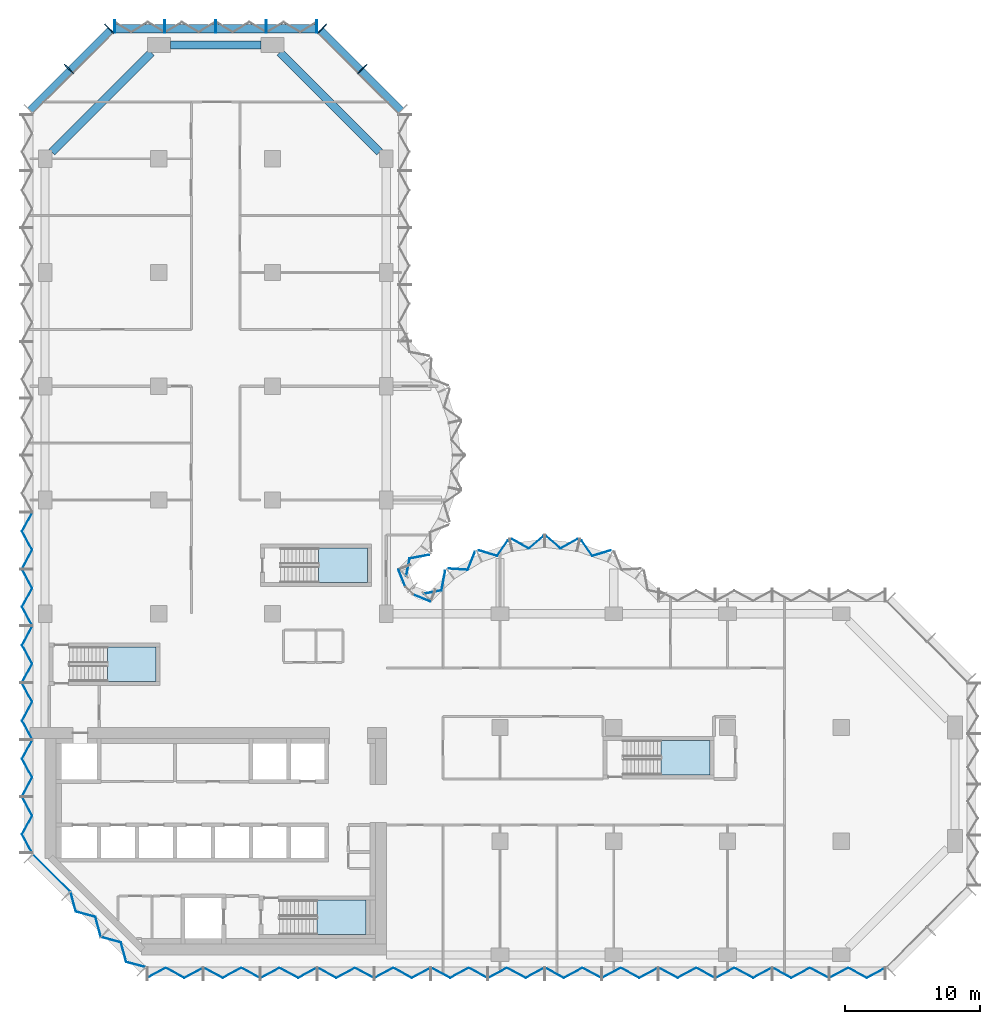
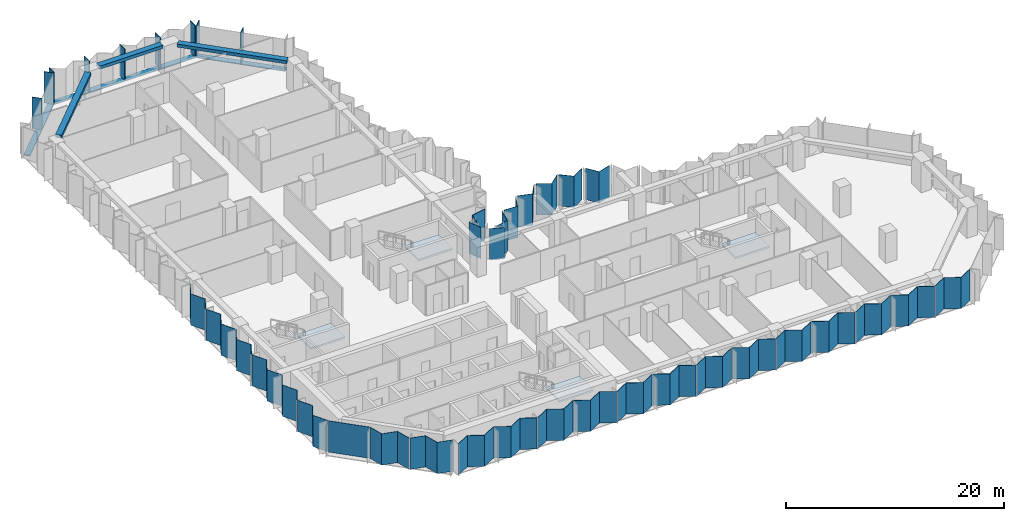
# One storey, part 5 of 13: 31 plates, 12 members, 4 slabs, 3 beams, 13 elements without a shape of their own.
"""IFC4 building model written with IfcOpenShell, lengths in metres."""

from ifc_helpers import new_model, si_unit, direction, frame, origin, origin_2d, place, context, subcontext, project, spatial, polyline, rectangle, outline, extrude, material, layer, layer_set, material_profile, profile_set, type_object, element, aggregate, save


model = new_model("IFC4")

# Units and contexts
model_context = context("Model", 3, precision=1e-05, world=origin(), true_north=direction((0.0, 1.0)))
body_context = subcontext(model_context, "Body", "Model", "MODEL_VIEW")
ifc_project = project(units=[si_unit("LENGTHUNIT", "METRE"), si_unit("AREAUNIT", "SQUARE_METRE"), si_unit("VOLUMEUNIT", "CUBIC_METRE"), si_unit("PLANEANGLEUNIT", "RADIAN"), si_unit("MASSUNIT", "GRAM", prefix="KILO")], contexts=[model_context])

# Site, building, storey
site_placement = place(None, origin())
site = spatial("IfcSite", under=ifc_project, at=site_placement, CompositionType="ELEMENT")
building_placement = place(site_placement, origin())
building = spatial("IfcBuilding", under=site, at=building_placement, Name="Brevane Broadcast Tower", CompositionType="ELEMENT")
storey_placement = place(building_placement, frame((0.0, 0.0, 124.10009765625)))
storey = spatial("IfcBuildingStorey", under=building, at=storey_placement, Name="L30", CompositionType="ELEMENT", Elevation=124.10009765625)

# Curtain wall, members
ifc_material_1 = material(Name="Aluminium 6063-T6 bronze anodised", Category="aluminium")
curtain_wall_type = type_object("IfcCurtainWallType", Name="CW-1 curtain wall", PredefinedType="NOTDEFINED", material=ifc_material_1)
curtain_wall_1_placement = place(storey_placement, origin())
curtain_wall_1 = element("IfcCurtainWall", 1, at=curtain_wall_1_placement, inside=storey, type_object=curtain_wall_type, Name="CW-1 typical tilted unit L30 north arm north-east chamfer", PredefinedType="NOTDEFINED")
ifc_material_profile_1 = material_profile(ifc_material_1, rectangle(XDim=0.949951171875, YDim=0.070068359375, at=origin_2d()), Name="RECT 70x950")
ifc_profile_set_1 = profile_set([ifc_material_profile_1], Name="Aluminium 6063-T6 bronze anodised")
member_type_1 = type_object("IfcMemberType", Name="CW-1 mullion 70x950", PredefinedType="MULLION", material=ifc_profile_set_1)
member_1_placement = place(storey_placement, frame((23.435791015625, 65.435791015625, -0.150146484375), z_axis=(0.0, 0.0, 1.0), x_axis=(-0.707106781187, -0.707106781187, 0.0)))
member_1 = element("IfcMember", 2, at=member_1_placement, type_object=member_type_1, Name="CW-1 mullion", PredefinedType="MULLION", context=body_context, shape_type="SweptSolid", body=[
    extrude(rectangle(XDim=0.949951171875, YDim=0.070068359375, at=origin_2d()), origin(), (0.0, 0.0, 1.0), 3.5),
])
member_2_placement = place(storey_placement, frame((20.460693359375, 68.4111328125, -0.150146484375), z_axis=(0.0, 0.0, 1.0), x_axis=(-0.707106781187, -0.707106781187, 0.0)))
member_2 = element("IfcMember", 3, at=member_2_placement, type_object=member_type_1, Name="CW-1 mullion", PredefinedType="MULLION", context=body_context, shape_type="SweptSolid", body=[
    extrude(rectangle(XDim=0.949951171875, YDim=0.070068359375, at=origin_2d()), origin(), (0.0, 0.0, 1.0), 3.5),
])

curtain_wall_2_placement = place(storey_placement, origin())
curtain_wall_2 = element("IfcCurtainWall", 4, at=curtain_wall_2_placement, inside=storey, type_object=curtain_wall_type, Name="CW-1 typical tilted unit L30 north end", PredefinedType="NOTDEFINED")
member_3_placement = place(storey_placement, frame((20.06494140625, 68.574951171875, -0.150146484375), z_axis=(0.0, 0.0, 1.0), x_axis=(0.0, -1.0, 0.0)))
member_3 = element("IfcMember", 5, at=member_3_placement, type_object=member_type_1, Name="CW-1 mullion", PredefinedType="MULLION", context=body_context, shape_type="SweptSolid", body=[
    extrude(rectangle(XDim=0.949951171875, YDim=0.070068359375, at=origin_2d()), origin(), (0.0, 0.0, 1.0), 3.5),
])
member_4_placement = place(storey_placement, frame((16.35009765625, 68.574951171875, -0.150146484375), z_axis=(0.0, 0.0, 1.0), x_axis=(0.0, -1.0, 0.0)))
member_4 = element("IfcMember", 6, at=member_4_placement, type_object=member_type_1, Name="CW-1 mullion", PredefinedType="MULLION", context=body_context, shape_type="SweptSolid", body=[
    extrude(rectangle(XDim=0.949951171875, YDim=0.070068359375, at=origin_2d()), origin(), (0.0, 0.0, 1.0), 3.5),
])
member_5_placement = place(storey_placement, frame((12.60009765625, 68.574951171875, -0.150146484375), z_axis=(0.0, 0.0, 1.0), x_axis=(0.0, -1.0, 0.0)))
member_5 = element("IfcMember", 7, at=member_5_placement, type_object=member_type_1, Name="CW-1 mullion", PredefinedType="MULLION", context=body_context, shape_type="SweptSolid", body=[
    extrude(rectangle(XDim=0.949951171875, YDim=0.070068359375, at=origin_2d()), origin(), (0.0, 0.0, 1.0), 3.5),
])
member_6_placement = place(storey_placement, frame((8.85009765625, 68.574951171875, -0.150146484375), z_axis=(0.0, 0.0, 1.0), x_axis=(0.0, -1.0, 0.0)))
member_6 = element("IfcMember", 8, at=member_6_placement, type_object=member_type_1, Name="CW-1 mullion", PredefinedType="MULLION", context=body_context, shape_type="SweptSolid", body=[
    extrude(rectangle(XDim=0.949951171875, YDim=0.070068359375, at=origin_2d()), origin(), (0.0, 0.0, 1.0), 3.5),
])
member_7_placement = place(storey_placement, frame((5.135009765625, 68.574951171875, -0.150146484375), z_axis=(0.0, 0.0, 1.0), x_axis=(0.0, -1.0, 0.0)))
member_7 = element("IfcMember", 9, at=member_7_placement, type_object=member_type_1, Name="CW-1 mullion", PredefinedType="MULLION", context=body_context, shape_type="SweptSolid", body=[
    extrude(rectangle(XDim=0.949951171875, YDim=0.070068359375, at=origin_2d()), origin(), (0.0, 0.0, 1.0), 3.5),
])

curtain_wall_3_placement = place(storey_placement, origin())
curtain_wall_3 = element("IfcCurtainWall", 10, at=curtain_wall_3_placement, inside=storey, type_object=curtain_wall_type, Name="CW-1 typical tilted unit L30 north-west chamfer", PredefinedType="NOTDEFINED")
member_8_placement = place(storey_placement, frame((4.7392578125, 68.4111328125, -0.150146484375), z_axis=(0.0, 0.0, 1.0), x_axis=(0.707106781187, -0.707106781187, 0.0)))
member_8 = element("IfcMember", 11, at=member_8_placement, type_object=member_type_1, Name="CW-1 mullion", PredefinedType="MULLION", context=body_context, shape_type="SweptSolid", body=[
    extrude(rectangle(XDim=0.949951171875, YDim=0.070068359375, at=origin_2d()), origin(), (0.0, 0.0, 1.0), 3.5),
])
member_9_placement = place(storey_placement, frame((1.76416015625, 65.435791015625, -0.150146484375), z_axis=(0.0, 0.0, 1.0), x_axis=(0.707106781187, -0.707106781187, 0.0)))
member_9 = element("IfcMember", 12, at=member_9_placement, type_object=member_type_1, Name="CW-1 mullion", PredefinedType="MULLION", context=body_context, shape_type="SweptSolid", body=[
    extrude(rectangle(XDim=0.949951171875, YDim=0.070068359375, at=origin_2d()), origin(), (0.0, 0.0, 1.0), 3.5),
])

# Member
ifc_material_profile_2 = material_profile(ifc_material_1, rectangle(XDim=0.60009765625, YDim=0.10009765625, at=origin_2d()), Name="RECT 100x600")
ifc_profile_set_2 = profile_set([ifc_material_profile_2], Name="Aluminium 6063-T6 bronze anodised")
member_type_2 = type_object("IfcMemberType", Name="CW-1 transom 100x600", PredefinedType="USERDEFINED", material=ifc_profile_set_2)
member_10_placement = place(storey_placement, frame((26.31201171875, 62.31201171875, -0.2001953125), z_axis=(-0.707106781187, 0.707106781187, 0.0), x_axis=(-0.707106781187, -0.707106781187, 0.0)))
member_10 = element("IfcMember", 13, at=member_10_placement, type_object=member_type_2, Name="CW-1 transom", ObjectType="TRANSOM", PredefinedType="USERDEFINED", context=body_context, shape_type="SweptSolid", body=[
    extrude(rectangle(XDim=0.60009765625, YDim=0.10009765625, at=origin_2d()), origin(), (0.0, 0.0, 1.0), 8.4853515625),
])

aggregate(curtain_wall_1, [member_1, member_2, member_10])

member_11_placement = place(storey_placement, frame((20.10009765625, 68.39990234375, -0.2001953125), z_axis=(-1.0, 0.0, 0.0), x_axis=(0.0, -1.0, 0.0)))
member_11 = element("IfcMember", 14, at=member_11_placement, type_object=member_type_2, Name="CW-1 transom", ObjectType="TRANSOM", PredefinedType="USERDEFINED", context=body_context, shape_type="SweptSolid", body=[
    extrude(rectangle(XDim=0.60009765625, YDim=0.10009765625, at=origin_2d()), origin(), (0.0, 0.0, 1.0), 15.0),
])

aggregate(curtain_wall_2, [member_3, member_4, member_5, member_6, member_7, member_11])

member_12_placement = place(storey_placement, frame((4.887939453125, 68.31201171875, -0.2001953125), z_axis=(-0.707106781187, -0.707106781187, 0.0), x_axis=(0.707106781187, -0.707106781187, 0.0)))
member_12 = element("IfcMember", 15, at=member_12_placement, type_object=member_type_2, Name="CW-1 transom", ObjectType="TRANSOM", PredefinedType="USERDEFINED", context=body_context, shape_type="SweptSolid", body=[
    extrude(rectangle(XDim=0.60009765625, YDim=0.10009765625, at=origin_2d()), origin(), (0.0, 0.0, 1.0), 8.4853515625),
])

aggregate(curtain_wall_3, [member_8, member_9, member_12])

# Beams
ifc_material_2 = material(Name="Concrete C40/50", Category="concrete")
ifc_material_profile_3 = material_profile(ifc_material_2, rectangle(XDim=0.60009765625, YDim=0.35009765625, at=origin_2d()), Name="RC 600x350")
ifc_profile_set_3 = profile_set([ifc_material_profile_3], Name="Concrete C40/50")
beam_type = type_object("IfcBeamType", Name="RC SPANDREL BEAM 600x350 C40/50", PredefinedType="SPANDREL", material=ifc_profile_set_3)
beam_1_placement = place(storey_placement, frame((24.699951171875, 59.300048828125, 3.1748046875), z_axis=(-0.707106781187, 0.707106781187, 0.0), x_axis=(-0.707106781187, -0.707106781187, 0.0)))
element("IfcBeam", 16, at=beam_1_placement, inside=storey, type_object=beam_type, Name="EB1 L30-16", PredefinedType="SPANDREL", context=body_context, shape_type="SweptSolid", body=[
    extrude(rectangle(XDim=0.60009765625, YDim=0.35009765625, at=origin_2d()), origin(), (0.0, 0.0, 1.0), 10.394287109375),
])
beam_2_placement = place(storey_placement, frame((15.949951171875, 67.199951171875, 3.1748046875), z_axis=(-1.0, 0.0, 0.0), x_axis=(0.0, -1.0, 0.0)))
element("IfcBeam", 17, at=beam_2_placement, inside=storey, type_object=beam_type, Name="EB1 L30-17", PredefinedType="SPANDREL", context=body_context, shape_type="SweptSolid", body=[
    extrude(rectangle(XDim=0.60009765625, YDim=0.35009765625, at=origin_2d()), origin(), (0.0, 0.0, 1.0), 6.699951171875),
])
beam_3_placement = place(storey_placement, frame((7.85009765625, 66.64990234375, 3.1748046875), z_axis=(-0.707118524903, -0.707095037275, 0.0), x_axis=(0.707095037275, -0.707118524903, 0.0)))
element("IfcBeam", 18, at=beam_3_placement, inside=storey, type_object=beam_type, Name="EB1 L30-18", PredefinedType="SPANDREL", context=body_context, shape_type="SweptSolid", body=[
    extrude(rectangle(XDim=0.60009765625, YDim=0.35009765625, at=origin_2d()), origin(), (0.0, 0.0, 1.0), 10.39453125),
])

# Curtain wall, plates
curtain_wall_4_placement = place(storey_placement, origin())
curtain_wall_4 = element("IfcCurtainWall", 19, at=curtain_wall_4_placement, inside=storey, type_object=curtain_wall_type, Name="CW-1 typical tilted unit L30 south face", PredefinedType="NOTDEFINED")
ifc_material_3 = material(Name="Laminated glass bronze-tinted", Category="glass")
ifc_layer_1 = layer(ifc_material_3, 0.0400390625)
ifc_layer_set_1 = layer_set([ifc_layer_1], Name="CW tall glass panel 40")
plate_type = type_object("IfcPlateType", Name="CW tall glass panel 40", PredefinedType="CURTAIN_PANEL", material=ifc_layer_set_1)
plate_1_placement = place(storey_placement, frame((0.0, 0.0, -0.150146484375)))
plate_1 = element("IfcPlate", 20, at=plate_1_placement, type_object=plate_type, Name="CW-1 glass panel", PredefinedType="CURTAIN_PANEL", context=body_context, shape_type="SweptSolid", body=[
    extrude(outline(polyline([(7.534912109375, -1.671630859375), (7.534912109375, -1.717041015625), (8.91162109375, -0.97265625), (10.288330078125, -1.717041015625), (11.6650390625, -0.97265625), (11.6650390625, -0.92724609375), (10.288330078125, -1.671630859375), (8.91162109375, -0.92724609375), (7.534912109375, -1.671630859375)])), origin(), (0.0, 0.0, 1.0), 3.5),
])
plate_2_placement = place(storey_placement, frame((0.0, 0.0, -0.150146484375)))
plate_2 = element("IfcPlate", 21, at=plate_2_placement, type_object=plate_type, Name="CW-1 glass panel", PredefinedType="CURTAIN_PANEL", context=body_context, shape_type="SweptSolid", body=[
    extrude(outline(polyline([(11.735107421875, -0.92724609375), (11.735107421875, -0.97265625), (13.11181640625, -1.717041015625), (14.48828125, -0.97265625), (15.864990234375, -1.717041015625), (15.864990234375, -1.671630859375), (14.48828125, -0.92724609375), (13.11181640625, -1.671630859375), (11.735107421875, -0.92724609375)])), origin(), (0.0, 0.0, 1.0), 3.5),
])
plate_3_placement = place(storey_placement, frame((0.0, 0.0, -0.150146484375)))
plate_3 = element("IfcPlate", 22, at=plate_3_placement, type_object=plate_type, Name="CW-1 glass panel", PredefinedType="CURTAIN_PANEL", context=body_context, shape_type="SweptSolid", body=[
    extrude(outline(polyline([(15.93505859375, -1.671630859375), (15.93505859375, -1.717041015625), (17.311767578125, -0.97265625), (18.688232421875, -1.717041015625), (20.06494140625, -0.97265625), (20.06494140625, -0.92724609375), (18.688232421875, -1.671630859375), (17.311767578125, -0.92724609375), (15.93505859375, -1.671630859375)])), origin(), (0.0, 0.0, 1.0), 3.5),
])
plate_4_placement = place(storey_placement, frame((0.0, 0.0, -0.150146484375)))
plate_4 = element("IfcPlate", 23, at=plate_4_placement, type_object=plate_type, Name="CW-1 glass panel", PredefinedType="CURTAIN_PANEL", context=body_context, shape_type="SweptSolid", body=[
    extrude(outline(polyline([(20.135009765625, -0.92724609375), (20.135009765625, -0.97265625), (21.51171875, -1.717041015625), (22.88818359375, -0.97265625), (24.264892578125, -1.717041015625), (24.264892578125, -1.671630859375), (22.88818359375, -0.92724609375), (21.51171875, -1.671630859375), (20.135009765625, -0.92724609375)])), origin(), (0.0, 0.0, 1.0), 3.5),
])
plate_5_placement = place(storey_placement, frame((0.0, 0.0, -0.150146484375)))
plate_5 = element("IfcPlate", 24, at=plate_5_placement, type_object=plate_type, Name="CW-1 glass panel", PredefinedType="CURTAIN_PANEL", context=body_context, shape_type="SweptSolid", body=[
    extrude(outline(polyline([(24.3349609375, -1.671630859375), (24.3349609375, -1.717041015625), (25.711669921875, -0.97265625), (27.08837890625, -1.717041015625), (28.465087890625, -0.97265625), (28.465087890625, -0.92724609375), (27.08837890625, -1.671630859375), (25.711669921875, -0.92724609375), (24.3349609375, -1.671630859375)])), origin(), (0.0, 0.0, 1.0), 3.5),
])
plate_6_placement = place(storey_placement, frame((0.0, 0.0, -0.150146484375)))
plate_6 = element("IfcPlate", 25, at=plate_6_placement, type_object=plate_type, Name="CW-1 glass panel", PredefinedType="CURTAIN_PANEL", context=body_context, shape_type="SweptSolid", body=[
    extrude(outline(polyline([(28.534912109375, -0.92724609375), (28.534912109375, -0.97265625), (29.91162109375, -1.717041015625), (31.288330078125, -0.97265625), (32.6650390625, -1.717041015625), (32.6650390625, -1.671630859375), (31.288330078125, -0.92724609375), (29.91162109375, -1.671630859375), (28.534912109375, -0.92724609375)])), origin(), (0.0, 0.0, 1.0), 3.5),
])
plate_7_placement = place(storey_placement, frame((0.0, 0.0, -0.150146484375)))
plate_7 = element("IfcPlate", 26, at=plate_7_placement, type_object=plate_type, Name="CW-1 glass panel", PredefinedType="CURTAIN_PANEL", context=body_context, shape_type="SweptSolid", body=[
    extrude(outline(polyline([(32.735107421875, -1.671630859375), (32.735107421875, -1.717041015625), (34.11181640625, -0.97265625), (35.48828125, -1.717041015625), (36.864990234375, -0.97265625), (36.864990234375, -0.92724609375), (35.48828125, -1.671630859375), (34.11181640625, -0.92724609375), (32.735107421875, -1.671630859375)])), origin(), (0.0, 0.0, 1.0), 3.5),
])
plate_8_placement = place(storey_placement, frame((0.0, 0.0, -0.150146484375)))
plate_8 = element("IfcPlate", 27, at=plate_8_placement, type_object=plate_type, Name="CW-1 glass panel", PredefinedType="CURTAIN_PANEL", context=body_context, shape_type="SweptSolid", body=[
    extrude(outline(polyline([(36.93505859375, -0.92724609375), (36.93505859375, -0.97265625), (38.311767578125, -1.717041015625), (39.688232421875, -0.97265625), (41.06494140625, -1.717041015625), (41.06494140625, -1.671630859375), (39.688232421875, -0.92724609375), (38.311767578125, -1.671630859375), (36.93505859375, -0.92724609375)])), origin(), (0.0, 0.0, 1.0), 3.5),
])
plate_9_placement = place(storey_placement, frame((0.0, 0.0, -0.150146484375)))
plate_9 = element("IfcPlate", 28, at=plate_9_placement, type_object=plate_type, Name="CW-1 glass panel", PredefinedType="CURTAIN_PANEL", context=body_context, shape_type="SweptSolid", body=[
    extrude(outline(polyline([(41.135009765625, -1.671630859375), (41.135009765625, -1.717041015625), (42.51171875, -0.97265625), (43.88818359375, -1.717041015625), (45.264892578125, -0.97265625), (45.264892578125, -0.92724609375), (43.88818359375, -1.671630859375), (42.51171875, -0.92724609375), (41.135009765625, -1.671630859375)])), origin(), (0.0, 0.0, 1.0), 3.5),
])
plate_10_placement = place(storey_placement, frame((0.0, 0.0, -0.150146484375)))
plate_10 = element("IfcPlate", 29, at=plate_10_placement, type_object=plate_type, Name="CW-1 glass panel", PredefinedType="CURTAIN_PANEL", context=body_context, shape_type="SweptSolid", body=[
    extrude(outline(polyline([(45.3349609375, -0.92724609375), (45.3349609375, -0.97265625), (46.711669921875, -1.717041015625), (48.08837890625, -0.97265625), (49.465087890625, -1.717041015625), (49.465087890625, -1.671630859375), (48.08837890625, -0.92724609375), (46.711669921875, -1.671630859375), (45.3349609375, -0.92724609375)])), origin(), (0.0, 0.0, 1.0), 3.5),
])
plate_11_placement = place(storey_placement, frame((0.0, 0.0, -0.150146484375)))
plate_11 = element("IfcPlate", 30, at=plate_11_placement, type_object=plate_type, Name="CW-1 glass panel", PredefinedType="CURTAIN_PANEL", context=body_context, shape_type="SweptSolid", body=[
    extrude(outline(polyline([(49.534912109375, -1.671630859375), (49.534912109375, -1.717041015625), (50.91162109375, -0.97265625), (52.288330078125, -1.717041015625), (53.6650390625, -0.97265625), (53.6650390625, -0.92724609375), (52.288330078125, -1.671630859375), (50.91162109375, -0.92724609375), (49.534912109375, -1.671630859375)])), origin(), (0.0, 0.0, 1.0), 3.5),
])
plate_12_placement = place(storey_placement, frame((0.0, 0.0, -0.150146484375)))
plate_12 = element("IfcPlate", 31, at=plate_12_placement, type_object=plate_type, Name="CW-1 glass panel", PredefinedType="CURTAIN_PANEL", context=body_context, shape_type="SweptSolid", body=[
    extrude(outline(polyline([(53.735107421875, -0.92724609375), (53.735107421875, -0.97265625), (55.11181640625, -1.717041015625), (56.48828125, -0.97265625), (57.864990234375, -1.717041015625), (57.864990234375, -1.671630859375), (56.48828125, -0.92724609375), (55.11181640625, -1.671630859375), (53.735107421875, -0.92724609375)])), origin(), (0.0, 0.0, 1.0), 3.5),
])
plate_13_placement = place(storey_placement, frame((0.0, 0.0, -0.150146484375)))
plate_13 = element("IfcPlate", 32, at=plate_13_placement, type_object=plate_type, Name="CW-1 glass panel", PredefinedType="CURTAIN_PANEL", context=body_context, shape_type="SweptSolid", body=[
    extrude(outline(polyline([(57.93505859375, -1.671630859375), (57.93505859375, -1.717041015625), (59.311767578125, -0.97265625), (60.688232421875, -1.717041015625), (62.06494140625, -0.97265625), (62.06494140625, -0.92724609375), (60.688232421875, -1.671630859375), (59.311767578125, -0.92724609375), (57.93505859375, -1.671630859375)])), origin(), (0.0, 0.0, 1.0), 3.5),
])
aggregate(curtain_wall_4, [plate_1, plate_2, plate_3, plate_4, plate_5, plate_6, plate_7, plate_8, plate_9, plate_10, plate_11, plate_12, plate_13])

curtain_wall_5_placement = place(storey_placement, origin())
curtain_wall_5 = element("IfcCurtainWall", 33, at=curtain_wall_5_placement, inside=storey, type_object=curtain_wall_type, Name="CW-1 typical tilted unit L30 east bow", PredefinedType="NOTDEFINED")
plate_14_placement = place(storey_placement, frame((0.0, 0.0, -0.150146484375)))
plate_14 = element("IfcPlate", 34, at=plate_14_placement, type_object=plate_type, Name="CW-1 glass panel", PredefinedType="CURTAIN_PANEL", context=body_context, shape_type="SweptSolid", body=[
    extrude(outline(polyline([(41.75537109375, 29.851806640625), (41.778564453125, 29.900634765625), (40.435546875, 29.494384765625), (39.6328125, 30.622802734375), (39.62060546875, 30.57080078125), (40.41943359375, 29.44775390625), (41.75537109375, 29.851806640625)])), origin(), (0.0, 0.0, 1.0), 3.5),
])
plate_15_placement = place(storey_placement, frame((0.0, 0.0, -0.150146484375)))
plate_15 = element("IfcPlate", 35, at=plate_15_placement, type_object=plate_type, Name="CW-1 glass panel", PredefinedType="CURTAIN_PANEL", context=body_context, shape_type="SweptSolid", body=[
    extrude(outline(polyline([(39.31640625, 30.68798828125), (39.328369140625, 30.740478515625), (38.069580078125, 30.036376953125), (37.008056640625, 30.94921875), (37.008056640625, 30.896484375), (38.064697265625, 29.98779296875), (39.31640625, 30.68798828125)])), origin(), (0.0, 0.0, 1.0), 3.5),
])
plate_16_placement = place(storey_placement, frame((0.0, 0.0, -0.150146484375)))
plate_16 = element("IfcPlate", 36, at=plate_16_placement, type_object=plate_type, Name="CW-1 glass panel", PredefinedType="CURTAIN_PANEL", context=body_context, shape_type="SweptSolid", body=[
    extrude(outline(polyline([(36.7919921875, 30.896484375), (36.7919921875, 30.94921875), (35.730224609375, 30.036376953125), (34.4716796875, 30.740478515625), (34.483642578125, 30.68798828125), (35.735107421875, 29.98779296875), (36.7919921875, 30.896484375)])), origin(), (0.0, 0.0, 1.0), 3.5),
])
plate_17_placement = place(storey_placement, frame((0.0, 0.0, -0.150146484375)))
plate_17 = element("IfcPlate", 37, at=plate_17_placement, type_object=plate_type, Name="CW-1 glass panel", PredefinedType="CURTAIN_PANEL", context=body_context, shape_type="SweptSolid", body=[
    extrude(outline(polyline([(34.17919921875, 30.57080078125), (34.167236328125, 30.622802734375), (33.364501953125, 29.494384765625), (32.021484375, 29.900634765625), (32.044677734375, 29.851806640625), (33.380615234375, 29.44775390625), (34.17919921875, 30.57080078125)])), origin(), (0.0, 0.0, 1.0), 3.5),
])
plate_18_placement = place(storey_placement, frame((0.0, 0.0, -0.150146484375)))
plate_18 = element("IfcPlate", 38, at=plate_18_placement, type_object=plate_type, Name="CW-1 glass panel", PredefinedType="CURTAIN_PANEL", context=body_context, shape_type="SweptSolid", body=[
    extrude(outline(polyline([(31.753173828125, 29.712890625), (31.729736328125, 29.76171875), (31.198486328125, 28.462890625), (29.816650390625, 28.551025390625), (29.849609375, 28.5087890625), (31.224609375, 28.42138671875), (31.753173828125, 29.712890625)])), origin(), (0.0, 0.0, 1.0), 3.5),
])
plate_19_placement = place(storey_placement, frame((0.0, 0.0, -0.150146484375)))
plate_19 = element("IfcPlate", 39, at=plate_19_placement, type_object=plate_type, Name="CW-1 glass panel", PredefinedType="CURTAIN_PANEL", context=body_context, shape_type="SweptSolid", body=[
    extrude(outline(polyline([(29.568603515625, 28.34375), (29.535888671875, 28.3857421875), (29.2607421875, 26.9423828125), (27.975341796875, 26.690185546875), (28.008544921875, 26.656005859375), (29.294921875, 26.908203125), (29.568603515625, 28.34375)])), origin(), (0.0, 0.0, 1.0), 3.5),
])
aggregate(curtain_wall_5, [plate_14, plate_15, plate_16, plate_17, plate_18, plate_19])

curtain_wall_6_placement = place(storey_placement, origin())
curtain_wall_6 = element("IfcCurtainWall", 40, at=curtain_wall_6_placement, inside=storey, type_object=curtain_wall_type, Name="CW-1 typical tilted unit L30 inner corner", PredefinedType="NOTDEFINED")
plate_20_placement = place(storey_placement, frame((0.0, 0.0, -0.150146484375)))
plate_20 = element("IfcPlate", 41, at=plate_20_placement, type_object=plate_type, Name="CW-1 glass panel", PredefinedType="CURTAIN_PANEL", context=body_context, shape_type="SweptSolid", body=[
    extrude(outline(polyline([(28.45166015625, 26.07470703125), (28.466796875, 26.111572265625), (27.2021484375, 26.635498046875), (27.17138671875, 26.60498046875), (28.45166015625, 26.07470703125)])), origin(), (0.0, 0.0, 1.0), 3.5),
])
plate_21_placement = place(storey_placement, frame((0.0, 0.0, -0.150146484375)))
plate_21 = element("IfcPlate", 42, at=plate_21_placement, type_object=plate_type, Name="CW-1 glass panel", PredefinedType="CURTAIN_PANEL", context=body_context, shape_type="SweptSolid", body=[
    extrude(outline(polyline([(26.60498046875, 27.17138671875), (26.635498046875, 27.2021484375), (26.111572265625, 28.466796875), (26.07470703125, 28.45166015625), (26.60498046875, 27.17138671875)])), origin(), (0.0, 0.0, 1.0), 3.5),
])
aggregate(curtain_wall_6, [plate_20, plate_21])

# Curtain wall, plate
curtain_wall_7_placement = place(storey_placement, origin())
curtain_wall_7 = element("IfcCurtainWall", 43, at=curtain_wall_7_placement, inside=storey, type_object=curtain_wall_type, Name="CW-1 typical tilted unit L30 north bow", PredefinedType="NOTDEFINED")
plate_22_placement = place(storey_placement, frame((0.0, 0.0, -0.150146484375)))
plate_22 = element("IfcPlate", 44, at=plate_22_placement, type_object=plate_type, Name="CW-1 glass panel", PredefinedType="CURTAIN_PANEL", context=body_context, shape_type="SweptSolid", body=[
    extrude(outline(polyline([(26.656005859375, 28.008544921875), (26.690185546875, 27.975341796875), (26.9423828125, 29.2607421875), (28.3857421875, 29.535888671875), (28.34375, 29.568603515625), (26.908203125, 29.294921875), (26.656005859375, 28.008544921875)])), origin(), (0.0, 0.0, 1.0), 3.5),
])
aggregate(curtain_wall_7, [plate_22])

# Curtain wall, plates
curtain_wall_8_placement = place(storey_placement, origin())
curtain_wall_8 = element("IfcCurtainWall", 45, at=curtain_wall_8_placement, inside=storey, type_object=curtain_wall_type, Name="CW-1 typical tilted unit L30 west face", PredefinedType="NOTDEFINED")
plate_23_placement = place(storey_placement, frame((0.0, 0.0, -0.150146484375)))
plate_23 = element("IfcPlate", 46, at=plate_23_placement, type_object=plate_type, Name="CW-1 glass panel", PredefinedType="CURTAIN_PANEL", context=body_context, shape_type="SweptSolid", body=[
    extrude(outline(polyline([(-0.92724609375, 32.6650390625), (-0.97265625, 32.6650390625), (-1.717041015625, 31.288330078125), (-0.97265625, 29.91162109375), (-1.717041015625, 28.534912109375), (-1.671630859375, 28.534912109375), (-0.92724609375, 29.91162109375), (-1.671630859375, 31.288330078125), (-0.92724609375, 32.6650390625)])), origin(), (0.0, 0.0, 1.0), 3.5),
])
plate_24_placement = place(storey_placement, frame((0.0, 0.0, -0.150146484375)))
plate_24 = element("IfcPlate", 47, at=plate_24_placement, type_object=plate_type, Name="CW-1 glass panel", PredefinedType="CURTAIN_PANEL", context=body_context, shape_type="SweptSolid", body=[
    extrude(outline(polyline([(-1.671630859375, 28.465087890625), (-1.717041015625, 28.465087890625), (-0.97265625, 27.08837890625), (-1.717041015625, 25.711669921875), (-0.97265625, 24.3349609375), (-0.92724609375, 24.3349609375), (-1.671630859375, 25.711669921875), (-0.92724609375, 27.08837890625), (-1.671630859375, 28.465087890625)])), origin(), (0.0, 0.0, 1.0), 3.5),
])
plate_25_placement = place(storey_placement, frame((0.0, 0.0, -0.150146484375)))
plate_25 = element("IfcPlate", 48, at=plate_25_placement, type_object=plate_type, Name="CW-1 glass panel", PredefinedType="CURTAIN_PANEL", context=body_context, shape_type="SweptSolid", body=[
    extrude(outline(polyline([(-0.92724609375, 24.264892578125), (-0.97265625, 24.264892578125), (-1.717041015625, 22.88818359375), (-0.97265625, 21.51171875), (-1.717041015625, 20.135009765625), (-1.671630859375, 20.135009765625), (-0.92724609375, 21.51171875), (-1.671630859375, 22.88818359375), (-0.92724609375, 24.264892578125)])), origin(), (0.0, 0.0, 1.0), 3.5),
])
plate_26_placement = place(storey_placement, frame((0.0, 0.0, -0.150146484375)))
plate_26 = element("IfcPlate", 49, at=plate_26_placement, type_object=plate_type, Name="CW-1 glass panel", PredefinedType="CURTAIN_PANEL", context=body_context, shape_type="SweptSolid", body=[
    extrude(outline(polyline([(-1.671630859375, 20.06494140625), (-1.717041015625, 20.06494140625), (-0.97265625, 18.688232421875), (-1.717041015625, 17.311767578125), (-0.97265625, 15.93505859375), (-0.92724609375, 15.93505859375), (-1.671630859375, 17.311767578125), (-0.92724609375, 18.688232421875), (-1.671630859375, 20.06494140625)])), origin(), (0.0, 0.0, 1.0), 3.5),
])
plate_27_placement = place(storey_placement, frame((0.0, 0.0, -0.150146484375)))
plate_27 = element("IfcPlate", 50, at=plate_27_placement, type_object=plate_type, Name="CW-1 glass panel", PredefinedType="CURTAIN_PANEL", context=body_context, shape_type="SweptSolid", body=[
    extrude(outline(polyline([(-0.92724609375, 15.864990234375), (-0.97265625, 15.864990234375), (-1.717041015625, 14.48828125), (-0.97265625, 13.11181640625), (-1.717041015625, 11.735107421875), (-1.671630859375, 11.735107421875), (-0.92724609375, 13.11181640625), (-1.671630859375, 14.48828125), (-0.92724609375, 15.864990234375)])), origin(), (0.0, 0.0, 1.0), 3.5),
])
plate_28_placement = place(storey_placement, frame((0.0, 0.0, -0.150146484375)))
plate_28 = element("IfcPlate", 51, at=plate_28_placement, type_object=plate_type, Name="CW-1 glass panel", PredefinedType="CURTAIN_PANEL", context=body_context, shape_type="SweptSolid", body=[
    extrude(outline(polyline([(-1.671630859375, 11.6650390625), (-1.717041015625, 11.6650390625), (-0.97265625, 10.288330078125), (-1.717041015625, 8.91162109375), (-0.97265625, 7.534912109375), (-0.92724609375, 7.534912109375), (-1.671630859375, 8.91162109375), (-0.92724609375, 10.288330078125), (-1.671630859375, 11.6650390625)])), origin(), (0.0, 0.0, 1.0), 3.5),
])
aggregate(curtain_wall_8, [plate_23, plate_24, plate_25, plate_26, plate_27, plate_28])

curtain_wall_9_placement = place(storey_placement, origin())
curtain_wall_9 = element("IfcCurtainWall", 52, at=curtain_wall_9_placement, inside=storey, type_object=curtain_wall_type, Name="CW-1 typical tilted unit L30 south-west chamfer", PredefinedType="NOTDEFINED")
plate_29_placement = place(storey_placement, frame((0.0, 0.0, -0.150146484375)))
plate_29 = element("IfcPlate", 53, at=plate_29_placement, type_object=plate_type, Name="CW-1 glass panel", PredefinedType="CURTAIN_PANEL", context=body_context, shape_type="SweptSolid", body=[
    extrude(outline(polyline([(-0.896484375, 7.4541015625), (1.85400390625, 4.70361328125), (1.82568359375, 4.67529296875), (-0.9248046875, 7.42578125), (-0.896484375, 7.4541015625)])), origin(), (0.0, 0.0, 1.0), 3.5),
])
plate_30_placement = place(storey_placement, frame((0.0, 0.0, -0.150146484375)))
plate_30 = element("IfcPlate", 54, at=plate_30_placement, type_object=plate_type, Name="CW-1 glass panel", PredefinedType="CURTAIN_PANEL", context=body_context, shape_type="SweptSolid", body=[
    extrude(outline(polyline([(1.90576171875, 4.65625), (1.873046875, 4.62353515625), (2.263671875, 3.180419921875), (3.706787109375, 2.789794921875), (4.09716796875, 1.3466796875), (4.1298828125, 1.37939453125), (3.739501953125, 2.822509765625), (2.296142578125, 3.212890625), (1.90576171875, 4.65625)])), origin(), (0.0, 0.0, 1.0), 3.5),
])
plate_31_placement = place(storey_placement, frame((0.0, 0.0, -0.150146484375)))
plate_31 = element("IfcPlate", 55, at=plate_31_placement, type_object=plate_type, Name="CW-1 glass panel", PredefinedType="CURTAIN_PANEL", context=body_context, shape_type="SweptSolid", body=[
    extrude(outline(polyline([(4.17919921875, 1.329833984375), (4.146728515625, 1.297119140625), (5.58984375, 0.90673828125), (5.98046875, -0.536376953125), (7.423583984375, -0.927001953125), (7.456298828125, -0.894287109375), (6.012939453125, -0.50390625), (5.62255859375, 0.939453125), (4.17919921875, 1.329833984375)])), origin(), (0.0, 0.0, 1.0), 3.5),
])
aggregate(curtain_wall_9, [plate_29, plate_30, plate_31])

# Stair, slab
ifc_material_4 = material(Name="Concrete C50/60", Category="concrete")
stair_type = type_object("IfcStairType", Name="Exit stair 22 risers", PredefinedType="HALF_TURN_STAIR", material=ifc_material_4)
stair_1_placement = place(storey_placement, origin())
stair_1 = element("IfcStair", 56, at=stair_1_placement, inside=storey, type_object=stair_type, Name="L30 Exit stair ST-1", PredefinedType="HALF_TURN_STAIR")
ifc_layer_2 = layer(ifc_material_4, 0.199951171875)
ifc_layer_set_2 = layer_set([ifc_layer_2], Name="Exit stair landing")
slab_type = type_object("IfcSlabType", Name="Exit stair landing", PredefinedType="LANDING", material=ifc_layer_set_2)
slab_1_placement = place(storey_placement, frame((0.0, 0.0, 1.599853515625)))
slab_1 = element("IfcSlab", 57, at=slab_1_placement, type_object=slab_type, Name="ST-1 landing 1", PredefinedType="LANDING", context=body_context, shape_type="SweptSolid", body=[
    extrude(outline(polyline([(4.60009765625, 20.199951171875), (8.199951171875, 20.199951171875), (8.199951171875, 22.75), (4.60009765625, 22.75), (4.60009765625, 20.199951171875)])), origin(), (0.0, 0.0, 1.0), 0.199951171875),
])
aggregate(stair_1, [slab_1])

stair_2_placement = place(storey_placement, origin())
stair_2 = element("IfcStair", 58, at=stair_2_placement, inside=storey, type_object=stair_type, Name="L30 Exit stair ST-2", PredefinedType="HALF_TURN_STAIR")
slab_2_placement = place(storey_placement, frame((0.0, 0.0, 1.599853515625)))
slab_2 = element("IfcSlab", 59, at=slab_2_placement, type_object=slab_type, Name="ST-2 landing 1", PredefinedType="LANDING", context=body_context, shape_type="SweptSolid", body=[
    extrude(outline(polyline([(20.10009765625, 1.5), (23.699951171875, 1.5), (23.699951171875, 4.050048828125), (20.10009765625, 4.050048828125), (20.10009765625, 1.5)])), origin(), (0.0, 0.0, 1.0), 0.199951171875),
])
aggregate(stair_2, [slab_2])

stair_3_placement = place(storey_placement, origin())
stair_3 = element("IfcStair", 60, at=stair_3_placement, inside=storey, type_object=stair_type, Name="L30 Exit stair ST-3", PredefinedType="HALF_TURN_STAIR")
slab_3_placement = place(storey_placement, frame((0.0, 0.0, 1.599853515625)))
slab_3 = element("IfcSlab", 61, at=slab_3_placement, type_object=slab_type, Name="ST-3 landing 1", PredefinedType="LANDING", context=body_context, shape_type="SweptSolid", body=[
    extrude(outline(polyline([(20.199951171875, 27.5), (23.800048828125, 27.5), (23.800048828125, 30.050048828125), (20.199951171875, 30.050048828125), (20.199951171875, 27.5)])), origin(), (0.0, 0.0, 1.0), 0.199951171875),
])
aggregate(stair_3, [slab_3])

stair_4_placement = place(storey_placement, origin())
stair_4 = element("IfcStair", 62, at=stair_4_placement, inside=storey, type_object=stair_type, Name="L30 Exit stair ST-4", PredefinedType="HALF_TURN_STAIR")
slab_4_placement = place(storey_placement, frame((0.0, 0.0, 1.599853515625)))
slab_4 = element("IfcSlab", 63, at=slab_4_placement, type_object=slab_type, Name="ST-4 landing 1", PredefinedType="LANDING", context=body_context, shape_type="SweptSolid", body=[
    extrude(outline(polyline([(45.5, 13.300048828125), (49.10009765625, 13.300048828125), (49.10009765625, 15.85009765625), (45.5, 15.85009765625), (45.5, 13.300048828125)])), origin(), (0.0, 0.0, 1.0), 0.199951171875),
])
aggregate(stair_4, [slab_4])

save(model, "model.ifc")
